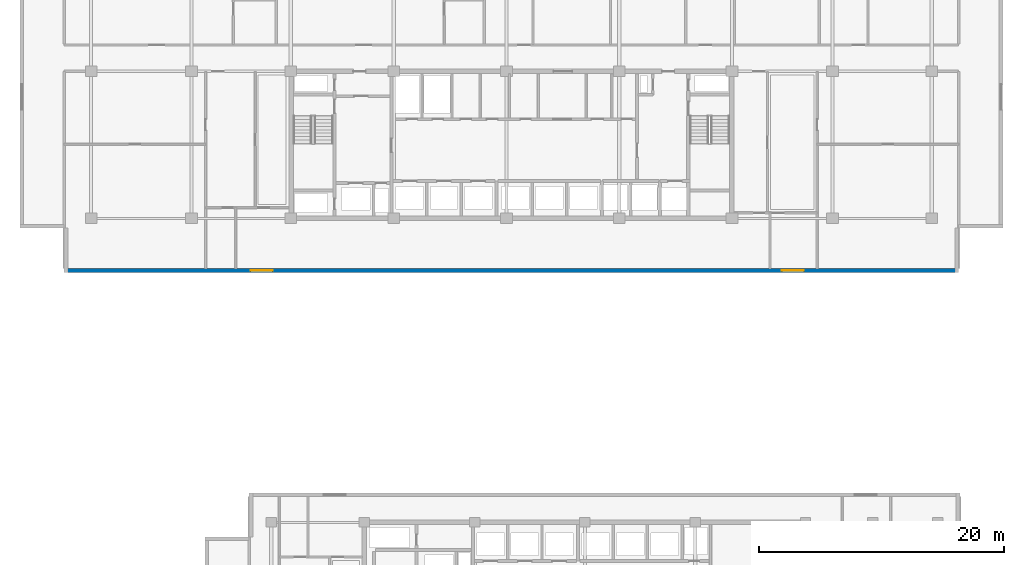
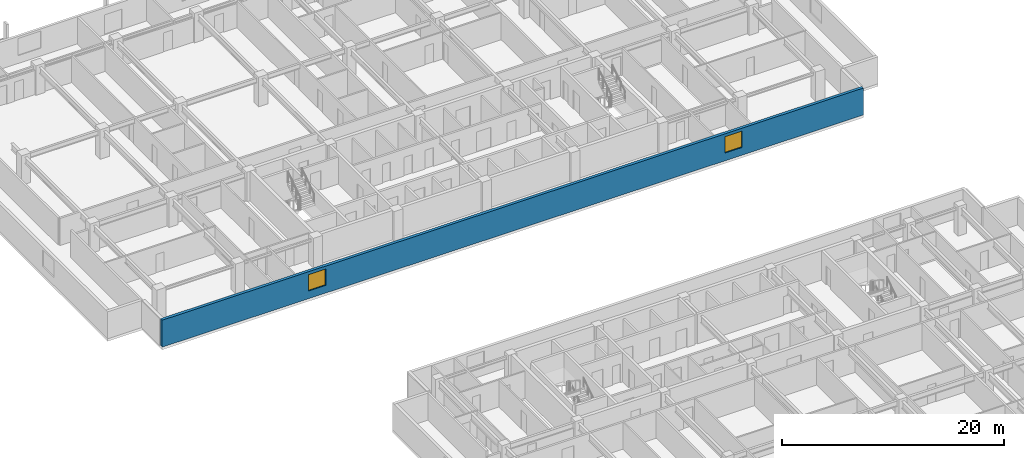
# One storey, part 9 of 22: 2 windows, 1 wall, 2 openings.
"""IFC4 building model written with IfcOpenShell, lengths in metres."""

from ifc_helpers import new_model, si_unit, direction, frame, frame_2d, origin, place, context, subcontext, project, spatial, rectangle, extrude, material, layer, layer_set, type_object, element, fill, save


model = new_model("IFC4")

# Units and contexts
model_context = context("Model", 3, precision=1e-05, world=origin(), true_north=direction((0.0, 1.0)))
body_context = subcontext(model_context, "Body", "Model", "MODEL_VIEW")
ifc_project = project(units=[si_unit("LENGTHUNIT", "METRE"), si_unit("AREAUNIT", "SQUARE_METRE"), si_unit("VOLUMEUNIT", "CUBIC_METRE"), si_unit("PLANEANGLEUNIT", "RADIAN"), si_unit("MASSUNIT", "GRAM", prefix="KILO")], contexts=[model_context])

# Site, building, storey
site_placement = place(None, origin())
site = spatial("IfcSite", under=ifc_project, at=site_placement, CompositionType="ELEMENT")
building_placement = place(site_placement, origin())
building = spatial("IfcBuilding", under=site, at=building_placement, Name="Korimba Cascade Residences", CompositionType="ELEMENT")
storey_placement = place(building_placement, frame((0.0, 0.0, 90.550048828125)))
storey = spatial("IfcBuildingStorey", under=building, at=storey_placement, Name="L25", CompositionType="ELEMENT", Elevation=90.550048828125)

# Wall, openings, windows
ifc_material_1 = material(Name="Precast concrete C40/50", Category="concrete")
ifc_layer = layer(ifc_material_1, 0.300048828125)
ifc_layer_set = layer_set([ifc_layer], Name="Precast concrete C40/50")
wall_type = type_object("IfcWallType", Name="EW-STONE-300", PredefinedType="STANDARD", material=ifc_layer_set)
wall_placement = place(storey_placement, frame((57.60009765625, 50.949951171875, 0.0), z_axis=(0.0, 0.0, 1.0), x_axis=(1.0, 0.0, 0.0)))
wall = element("IfcWall", 1, at=wall_placement, inside=storey, type_object=wall_type, Name="L25 T1 Perimeter Stone Wall E00", PredefinedType="STANDARD", context=body_context, shape_type="SweptSolid", body=[
    extrude(rectangle(XDim=73.0, YDim=0.300048828125, at=frame_2d((36.5, 0.0))), origin(), (0.0, 0.0, 1.0), 2.969970703125),
])
opening_1_placement = place(wall_placement, frame((15.22509765625, 0.0, 0.85009765625)))
opening_1 = element("IfcOpeningElement", 2, at=opening_1_placement, cuts=wall, Name="Opening W-02", PredefinedType="OPENING", context=body_context, shape_type="SweptSolid", body=[
    extrude(rectangle(XDim=1.800048828125, YDim=1.800048828125, at=frame_2d((0.89990234375, 0.89990234375))), frame((0.0, 0.16015625, 0.0), z_axis=(0.0, -1.0, 0.0), x_axis=(1.0, 0.0, 0.0)), (0.0, 0.0, 1.0), 0.320068359375),
])
opening_2_placement = place(wall_placement, frame((58.574951171875, 0.0, 0.85009765625)))
opening_2 = element("IfcOpeningElement", 3, at=opening_2_placement, cuts=wall, Name="Opening W-02", PredefinedType="OPENING", context=body_context, shape_type="SweptSolid", body=[
    extrude(rectangle(XDim=1.800048828125, YDim=1.800048828125, at=frame_2d((0.89990234375, 0.89990234375))), frame((0.0, 0.16015625, 0.0), z_axis=(0.0, -1.0, 0.0), x_axis=(1.0, 0.0, 0.0)), (0.0, 0.0, 1.0), 0.320068359375),
])
ifc_material_2 = material(Name="Double-Glazed Aluminium Window", Category="aluminium")
window_type = type_object("IfcWindowType", Name="WIN-BED-1800", PartitioningType="SINGLE_PANEL", PredefinedType="WINDOW", material=ifc_material_2)
window_1_placement = place(opening_1_placement, origin())
window_1 = element("IfcWindow", 4, at=window_1_placement, inside=storey, type_object=window_type, Name="L25 T1 South Corner Bedroom Window 1", OverallHeight=1.800048828125, OverallWidth=1.800048828125, PartitioningType="SINGLE_PANEL", PredefinedType="WINDOW", context=body_context, shape_type="SweptSolid", body=[
    extrude(rectangle(XDim=1.800048828125, YDim=1.800048828125, at=frame_2d((0.89990234375, 0.89990234375))), frame((0.0, 0.030029296875, 0.0), z_axis=(0.0, -1.0, 0.0), x_axis=(1.0, 0.0, 0.0)), (0.0, 0.0, 1.0), 0.06005859375),
])
fill(opening_1, window_1)
window_2_placement = place(opening_2_placement, origin())
window_2 = element("IfcWindow", 5, at=window_2_placement, inside=storey, type_object=window_type, Name="L25 T1 South Corner Bedroom Window 2", OverallHeight=1.800048828125, OverallWidth=1.800048828125, PartitioningType="SINGLE_PANEL", PredefinedType="WINDOW", context=body_context, shape_type="SweptSolid", body=[
    extrude(rectangle(XDim=1.800048828125, YDim=1.800048828125, at=frame_2d((0.89990234375, 0.89990234375))), frame((0.0, 0.030029296875, 0.0), z_axis=(0.0, -1.0, 0.0), x_axis=(1.0, 0.0, 0.0)), (0.0, 0.0, 1.0), 0.06005859375),
])
fill(opening_2, window_2)

save(model, "model.ifc")
